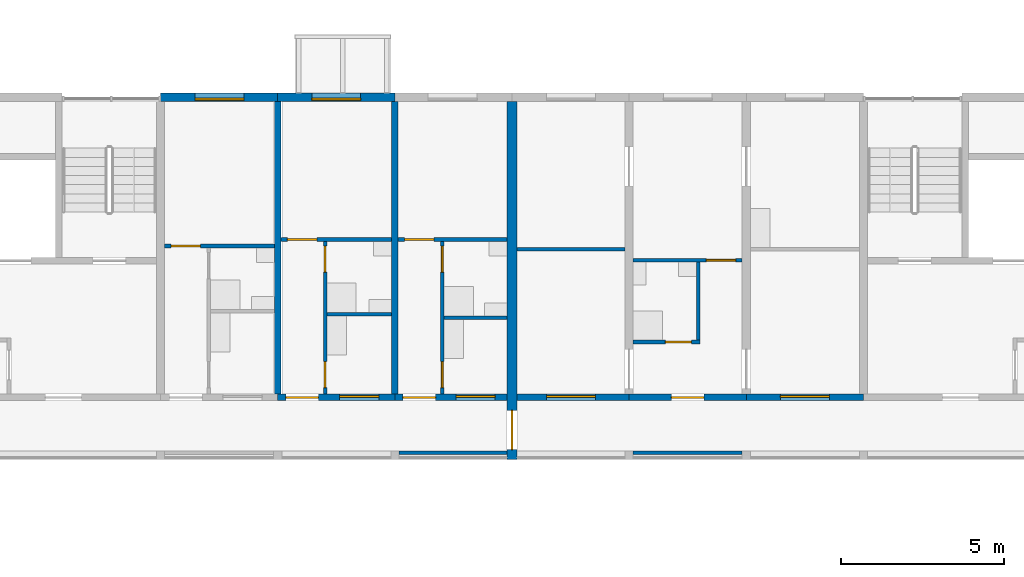
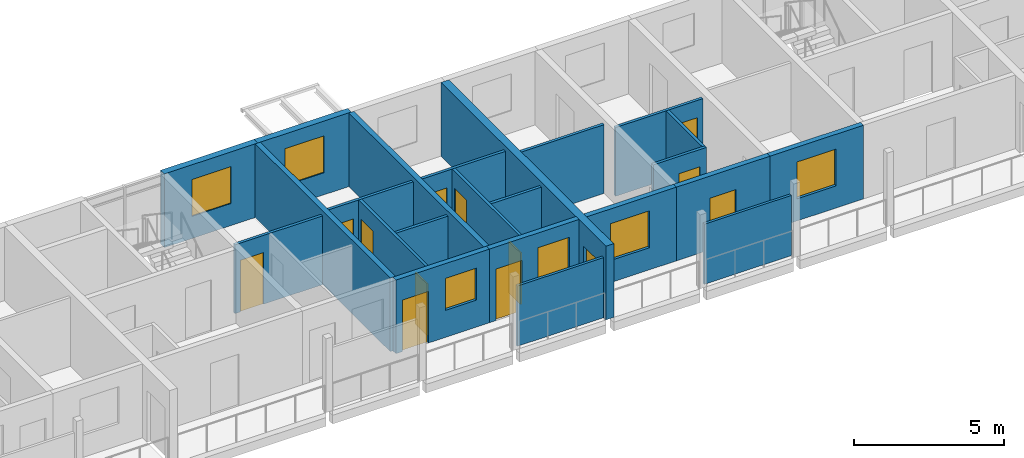
# One storey, part 79 of 122: 23 walls, 13 doors, 6 windows, 19 openings.
"""IFC4 building model written with IfcOpenShell, lengths in metres."""

from ifc_helpers import new_model, si_unit, direction, frame, frame_2d, origin, place, context, subcontext, project, spatial, rectangle, extrude, material, layer, layer_set, type_object, element, fill, save


model = new_model("IFC4")

# Units and contexts
model_context = context("Model", 3, precision=1e-05, world=origin(), true_north=direction((0.0, 1.0)))
body_context = subcontext(model_context, "Body", "Model", "MODEL_VIEW")
ifc_project = project(units=[si_unit("LENGTHUNIT", "METRE"), si_unit("AREAUNIT", "SQUARE_METRE"), si_unit("VOLUMEUNIT", "CUBIC_METRE"), si_unit("PLANEANGLEUNIT", "RADIAN"), si_unit("MASSUNIT", "GRAM", prefix="KILO")], contexts=[model_context])

# Site, building, storey
site_placement = place(None, origin())
site = spatial("IfcSite", under=ifc_project, at=site_placement, CompositionType="ELEMENT")
building_placement = place(site_placement, origin())
building = spatial("IfcBuilding", under=site, at=building_placement, Name="Ridgestep Commons", CompositionType="ELEMENT")
storey_placement = place(building_placement, frame((0.0, 0.0, 3.0)))
storey = spatial("IfcBuildingStorey", under=building, at=storey_placement, Name="L01", CompositionType="ELEMENT", Elevation=3.0)

# Walls
ifc_material_1 = material(Name="Precast concrete C40/50", Category="concrete")
ifc_layer_1 = layer(ifc_material_1, 0.199951171875)
ifc_layer_set_1 = layer_set([ifc_layer_1], Name="Cross wall 200")
wall_type_1 = type_object("IfcWallType", Name="Cross wall 200", PredefinedType="SHEAR", material=ifc_layer_set_1)
for number, where, z_axis, x_axis, name in (
    (1, (206.800048828125, 68.0, 0.0), (0.0, 0.0, 1.0), (0.0, 1.0, 0.0), "Cross wall C-01-2068"),
    (2, (210.39990234375, 68.0, 0.0), (0.0, 0.0, 1.0), (0.0, 1.0, 0.0), "Cross wall C-01-2104"),
):
    element("IfcWall", number, at=place(storey_placement, frame(where, z_axis=z_axis, x_axis=x_axis)), inside=storey, type_object=wall_type_1, Name=name, PredefinedType="SHEAR", context=body_context, shape_type="SweptSolid", body=[
        extrude(rectangle(XDim=9.0, YDim=0.199951171875, at=frame_2d((4.5, 0.0))), origin(), (0.0, 0.0, 1.0), 3.0),
    ])

# Wall, opening, door
ifc_material_2 = material(Name="Precast concrete C40/50", Category="concrete")
ifc_layer_2 = layer(ifc_material_2, 0.300048828125)
ifc_layer_set_2 = layer_set([ifc_layer_2], Name="Division wall 300")
wall_type_2 = type_object("IfcWallType", Name="Division wall 300", PredefinedType="SHEAR", material=ifc_layer_set_2)
wall_1_placement = place(storey_placement, frame((214.0, 66.0, 0.0), z_axis=(0.0, 0.0, 1.0), x_axis=(0.0, 1.0, 0.0)))
wall_1 = element("IfcWall", 3, at=wall_1_placement, inside=storey, type_object=wall_type_2, Name="Cross wall C-01-2140", PredefinedType="SHEAR", context=body_context, shape_type="SweptSolid", body=[
    extrude(rectangle(XDim=11.0, YDim=0.300048828125, at=frame_2d((5.5, 0.0))), origin(), (0.0, 0.0, 1.0), 3.0),
])
opening_1_placement = place(wall_1_placement, frame((0.300048828125, 0.0, 0.0)))
opening_1 = element("IfcOpeningElement", 4, at=opening_1_placement, cuts=wall_1, Name="Opening C/01/G2140", PredefinedType="OPENING", context=body_context, shape_type="SweptSolid", body=[
    extrude(rectangle(XDim=1.199951171875, YDim=2.10009765625, at=frame_2d((0.60009765625, 1.050048828125))), frame((0.0, 0.159912109375, 0.0), z_axis=(0.0, -1.0, 0.0), x_axis=(1.0, 0.0, 0.0)), (0.0, 0.0, 1.0), 0.320068359375),
])
ifc_material_3 = material(Name="Steel fire door", Category="steel")
door_type_1 = type_object("IfcDoorType", Name="Division fire door 1200 x 2100 EI 240", OperationType="DOUBLE_DOOR_SINGLE_SWING", PredefinedType="DOOR", material=ifc_material_3)
door_1_placement = place(opening_1_placement, origin())
door_1 = element("IfcDoor", 5, at=door_1_placement, inside=storey, type_object=door_type_1, Name="Division fire door C/01/G2140", OperationType="DOUBLE_DOOR_SINGLE_SWING", OverallHeight=2.10009765625, OverallWidth=1.199951171875, PredefinedType="DOOR", context=body_context, shape_type="SweptSolid", body=[
    extrude(rectangle(XDim=1.199951171875, YDim=2.10009765625, at=frame_2d((0.60009765625, 1.050048828125))), frame((0.0, 0.02490234375, 0.0), z_axis=(0.0, -1.0, 0.0), x_axis=(1.0, 0.0, 0.0)), (0.0, 0.0, 1.0), 0.050048828125),
])
fill(opening_1, door_1)

# Wall, opening, window
ifc_material_4 = material(Name="Precast concrete C40/50", Category="concrete")
ifc_layer_3 = layer(ifc_material_4, 0.25)
ifc_layer_set_3 = layer_set([ifc_layer_3], Name="North facade panel 250")
wall_type_3 = type_object("IfcWallType", Name="North facade panel 250", PredefinedType="SOLIDWALL", material=ifc_layer_set_3)
wall_2_placement = place(storey_placement, frame((203.199951171875, 77.125, 0.0), z_axis=(0.0, 0.0, 1.0), x_axis=(1.0, 0.0, 0.0)))
wall_2 = element("IfcWall", 6, at=wall_2_placement, inside=storey, type_object=wall_type_3, Name="North panel C4T3 L01", PredefinedType="SOLIDWALL", context=body_context, shape_type="SweptSolid", body=[
    extrude(rectangle(XDim=3.60009765625, YDim=0.25, at=frame_2d((1.800048828125, 0.0))), origin(), (0.0, 0.0, 1.0), 3.0),
])
opening_2_placement = place(wall_2_placement, frame((1.0625, 0.0, 0.89990234375)))
opening_2 = element("IfcOpeningElement", 7, at=opening_2_placement, cuts=wall_2, Name="Opening W16", PredefinedType="OPENING", context=body_context, shape_type="SweptSolid", body=[
    extrude(rectangle(XDim=1.5, YDim=1.5, at=frame_2d((0.75, 0.75))), frame((0.0, 0.135009765625, 0.0), z_axis=(0.0, -1.0, 0.0), x_axis=(1.0, 0.0, 0.0)), (0.0, 0.0, 1.0), 0.27001953125),
])
ifc_material_5 = material(Name="Aluminium 6063-T6 and glass", Category="aluminium")
window_type_1 = type_object("IfcWindowType", Name="Flat window 1500 x 1500", PartitioningType="DOUBLE_PANEL_VERTICAL", PredefinedType="WINDOW", material=ifc_material_5)
window_1_placement = place(opening_2_placement, origin())
window_1 = element("IfcWindow", 8, at=window_1_placement, inside=storey, type_object=window_type_1, Name="Window C4-01c 2", OverallHeight=1.5, OverallWidth=1.5, PartitioningType="SINGLE_PANEL", PredefinedType="WINDOW", context=body_context, shape_type="SweptSolid", body=[
    extrude(rectangle(XDim=1.5, YDim=1.5, at=frame_2d((0.75, 0.75))), frame((0.0, -0.02490234375, 0.0), z_axis=(0.0, -1.0, 0.0), x_axis=(1.0, 0.0, 0.0)), (0.0, 0.0, 1.0), 0.06005859375),
])
fill(opening_2, window_1)

wall_3_placement = place(storey_placement, frame((206.800048828125, 77.125, 0.0), z_axis=(0.0, 0.0, 1.0), x_axis=(1.0, 0.0, 0.0)))
wall_3 = element("IfcWall", 9, at=wall_3_placement, inside=storey, type_object=wall_type_3, Name="North panel C4T2 L01", PredefinedType="SOLIDWALL", context=body_context, shape_type="SweptSolid", body=[
    extrude(rectangle(XDim=3.599853515625, YDim=0.25, at=frame_2d((1.7998046875, 0.0))), origin(), (0.0, 0.0, 1.0), 3.0),
])
opening_3_placement = place(wall_3_placement, frame((1.050048828125, 0.0, 0.89990234375)))
opening_3 = element("IfcOpeningElement", 10, at=opening_3_placement, cuts=wall_3, Name="Opening W16", PredefinedType="OPENING", context=body_context, shape_type="SweptSolid", body=[
    extrude(rectangle(XDim=1.5, YDim=1.5, at=frame_2d((0.75, 0.75))), frame((0.0, 0.135009765625, 0.0), z_axis=(0.0, -1.0, 0.0), x_axis=(1.0, 0.0, 0.0)), (0.0, 0.0, 1.0), 0.27001953125),
])
window_2_placement = place(opening_3_placement, origin())
window_2 = element("IfcWindow", 11, at=window_2_placement, inside=storey, type_object=window_type_1, Name="Window C4-01b 2", OverallHeight=1.5, OverallWidth=1.5, PartitioningType="SINGLE_PANEL", PredefinedType="WINDOW", context=body_context, shape_type="SweptSolid", body=[
    extrude(rectangle(XDim=1.5, YDim=1.5, at=frame_2d((0.75, 0.75))), frame((0.0, -0.02490234375, 0.0), z_axis=(0.0, -1.0, 0.0), x_axis=(1.0, 0.0, 0.0)), (0.0, 0.0, 1.0), 0.06005859375),
])
fill(opening_3, window_2)

# Wall, openings, doors
ifc_material_6 = material(Name="Common brick 110 mm", Category="masonry")
ifc_layer_4 = layer(ifc_material_6, 0.110107421875)
ifc_layer_set_4 = layer_set([ifc_layer_4], Name="Partition 110")
wall_type_4 = type_object("IfcWallType", Name="Partition 110", PredefinedType="PARTITIONING", material=ifc_layer_set_4)
wall_4_placement = place(storey_placement, frame((211.85498046875, 68.0, 0.0), z_axis=(0.0, 0.0, 1.0), x_axis=(0.0, 1.0, 0.0)))
wall_4 = element("IfcWall", 12, at=wall_4_placement, inside=storey, type_object=wall_type_4, Name="Partition C4-01a", PredefinedType="PARTITIONING", context=body_context, shape_type="SweptSolid", body=[
    extrude(rectangle(XDim=4.699951171875, YDim=0.110107421875, at=frame_2d((2.35009765625, 0.0))), origin(), (0.0, 0.0, 1.0), 2.800048828125),
])
opening_4_placement = place(wall_4_placement, frame((0.199951171875, 0.0, 0.0)))
opening_4 = element("IfcOpeningElement", 13, at=opening_4_placement, cuts=wall_4, Name="Opening C4-01a/2", PredefinedType="OPENING", context=body_context, shape_type="SweptSolid", body=[
    extrude(rectangle(XDim=0.800048828125, YDim=2.10009765625, at=frame_2d((0.39990234375, 1.050048828125))), frame((0.0, 0.06494140625, 0.0), z_axis=(0.0, -1.0, 0.0), x_axis=(1.0, 0.0, 0.0)), (0.0, 0.0, 1.0), 0.130126953125),
])
opening_5_placement = place(wall_4_placement, frame((3.75, 0.0, 0.0)))
opening_5 = element("IfcOpeningElement", 14, at=opening_5_placement, cuts=wall_4, Name="Opening C4-01a/3", PredefinedType="OPENING", context=body_context, shape_type="SweptSolid", body=[
    extrude(rectangle(XDim=0.800048828125, YDim=2.10009765625, at=frame_2d((0.39990234375, 1.050048828125))), frame((0.0, 0.06494140625, 0.0), z_axis=(0.0, -1.0, 0.0), x_axis=(1.0, 0.0, 0.0)), (0.0, 0.0, 1.0), 0.130126953125),
])
ifc_material_7 = material(Name="Timber door leaf", Category="wood")
door_type_2 = type_object("IfcDoorType", Name="Internal door 800 x 2100", OperationType="NOTDEFINED", PredefinedType="DOOR", material=ifc_material_7)
door_2_placement = place(opening_4_placement, origin())
door_2 = element("IfcDoor", 15, at=door_2_placement, inside=storey, type_object=door_type_2, Name="Internal door C4-01a/2", OperationType="SINGLE_SWING_RIGHT", OverallHeight=2.10009765625, OverallWidth=0.800048828125, PredefinedType="DOOR", context=body_context, shape_type="SweptSolid", body=[
    extrude(rectangle(XDim=0.800048828125, YDim=2.10009765625, at=frame_2d((0.39990234375, 1.050048828125))), frame((0.0, 0.02490234375, 0.0), z_axis=(0.0, -1.0, 0.0), x_axis=(1.0, 0.0, 0.0)), (0.0, 0.0, 1.0), 0.050048828125),
])
fill(opening_4, door_2)
door_3_placement = place(opening_5_placement, origin())
door_3 = element("IfcDoor", 16, at=door_3_placement, inside=storey, type_object=door_type_2, Name="Internal door C4-01a/3", OperationType="SINGLE_SWING_LEFT", OverallHeight=2.10009765625, OverallWidth=0.800048828125, PredefinedType="DOOR", context=body_context, shape_type="SweptSolid", body=[
    extrude(rectangle(XDim=0.800048828125, YDim=2.10009765625, at=frame_2d((0.39990234375, 1.050048828125))), frame((0.0, 0.02490234375, 0.0), z_axis=(0.0, -1.0, 0.0), x_axis=(1.0, 0.0, 0.0)), (0.0, 0.0, 1.0), 0.050048828125),
])
fill(opening_5, door_3)

# Wall
wall_5_placement = place(storey_placement, frame((211.909912109375, 70.35498046875, 0.0), z_axis=(0.0, 0.0, 1.0), x_axis=(1.0, 0.0, 0.0)))
element("IfcWall", 17, at=wall_5_placement, inside=storey, type_object=wall_type_4, Name="Partition C4-01a", PredefinedType="PARTITIONING", context=body_context, shape_type="SweptSolid", body=[
    extrude(rectangle(XDim=1.940185546875, YDim=0.110107421875, at=frame_2d((0.97021484375, 0.0))), origin(), (0.0, 0.0, 1.0), 2.800048828125),
])

# Wall, opening, door
wall_6_placement = place(storey_placement, frame((210.5, 72.7548828125, 0.0), z_axis=(0.0, 0.0, 1.0), x_axis=(1.0, 0.0, 0.0)))
wall_6 = element("IfcWall", 18, at=wall_6_placement, inside=storey, type_object=wall_type_4, Name="Partition C4-01a", PredefinedType="PARTITIONING", context=body_context, shape_type="SweptSolid", body=[
    extrude(rectangle(XDim=3.35009765625, YDim=0.110107421875, at=frame_2d((1.675048828125, 0.0))), origin(), (0.0, 0.0, 1.0), 2.800048828125),
])
opening_6_placement = place(wall_6_placement, frame((0.199951171875, 0.0, 0.0)))
opening_6 = element("IfcOpeningElement", 19, at=opening_6_placement, cuts=wall_6, Name="Opening C4-01a/4", PredefinedType="OPENING", context=body_context, shape_type="SweptSolid", body=[
    extrude(rectangle(XDim=0.89990234375, YDim=2.10009765625, at=frame_2d((0.449951171875, 1.050048828125))), frame((0.0, 0.06494140625, 0.0), z_axis=(0.0, -1.0, 0.0), x_axis=(1.0, 0.0, 0.0)), (0.0, 0.0, 1.0), 0.130126953125),
])
ifc_material_8 = material(Name="Timber door leaf", Category="wood")
door_type_3 = type_object("IfcDoorType", Name="Internal door 900 x 2100", OperationType="NOTDEFINED", PredefinedType="DOOR", material=ifc_material_8)
door_4_placement = place(opening_6_placement, origin())
door_4 = element("IfcDoor", 20, at=door_4_placement, inside=storey, type_object=door_type_3, Name="Internal door C4-01a/4", OperationType="SINGLE_SWING_LEFT", OverallHeight=2.10009765625, OverallWidth=0.89990234375, PredefinedType="DOOR", context=body_context, shape_type="SweptSolid", body=[
    extrude(rectangle(XDim=0.89990234375, YDim=2.10009765625, at=frame_2d((0.449951171875, 1.050048828125))), frame((0.0, 0.02490234375, 0.0), z_axis=(0.0, -1.0, 0.0), x_axis=(1.0, 0.0, 0.0)), (0.0, 0.0, 1.0), 0.050048828125),
])
fill(opening_6, door_4)

# Wall, openings, doors
wall_7_placement = place(storey_placement, frame((208.2548828125, 68.0, 0.0), z_axis=(0.0, 0.0, 1.0), x_axis=(0.0, 1.0, 0.0)))
wall_7 = element("IfcWall", 21, at=wall_7_placement, inside=storey, type_object=wall_type_4, Name="Partition C4-01b", PredefinedType="PARTITIONING", context=body_context, shape_type="SweptSolid", body=[
    extrude(rectangle(XDim=4.699951171875, YDim=0.110107421875, at=frame_2d((2.35009765625, 0.0))), origin(), (0.0, 0.0, 1.0), 2.800048828125),
])
opening_7_placement = place(wall_7_placement, frame((0.199951171875, 0.0, 0.0)))
opening_7 = element("IfcOpeningElement", 22, at=opening_7_placement, cuts=wall_7, Name="Opening C4-01b/2", PredefinedType="OPENING", context=body_context, shape_type="SweptSolid", body=[
    extrude(rectangle(XDim=0.800048828125, YDim=2.10009765625, at=frame_2d((0.39990234375, 1.050048828125))), frame((0.0, 0.06494140625, 0.0), z_axis=(0.0, -1.0, 0.0), x_axis=(1.0, 0.0, 0.0)), (0.0, 0.0, 1.0), 0.130126953125),
])
opening_8_placement = place(wall_7_placement, frame((3.75, 0.0, 0.0)))
opening_8 = element("IfcOpeningElement", 23, at=opening_8_placement, cuts=wall_7, Name="Opening C4-01b/3", PredefinedType="OPENING", context=body_context, shape_type="SweptSolid", body=[
    extrude(rectangle(XDim=0.800048828125, YDim=2.10009765625, at=frame_2d((0.39990234375, 1.050048828125))), frame((0.0, 0.06494140625, 0.0), z_axis=(0.0, -1.0, 0.0), x_axis=(1.0, 0.0, 0.0)), (0.0, 0.0, 1.0), 0.130126953125),
])
door_5_placement = place(opening_7_placement, origin())
door_5 = element("IfcDoor", 24, at=door_5_placement, inside=storey, type_object=door_type_2, Name="Internal door C4-01b/2", OperationType="SINGLE_SWING_RIGHT", OverallHeight=2.10009765625, OverallWidth=0.800048828125, PredefinedType="DOOR", context=body_context, shape_type="SweptSolid", body=[
    extrude(rectangle(XDim=0.800048828125, YDim=2.10009765625, at=frame_2d((0.39990234375, 1.050048828125))), frame((0.0, 0.02490234375, 0.0), z_axis=(0.0, -1.0, 0.0), x_axis=(1.0, 0.0, 0.0)), (0.0, 0.0, 1.0), 0.050048828125),
])
fill(opening_7, door_5)
door_6_placement = place(opening_8_placement, origin())
door_6 = element("IfcDoor", 25, at=door_6_placement, inside=storey, type_object=door_type_2, Name="Internal door C4-01b/3", OperationType="SINGLE_SWING_LEFT", OverallHeight=2.10009765625, OverallWidth=0.800048828125, PredefinedType="DOOR", context=body_context, shape_type="SweptSolid", body=[
    extrude(rectangle(XDim=0.800048828125, YDim=2.10009765625, at=frame_2d((0.39990234375, 1.050048828125))), frame((0.0, 0.02490234375, 0.0), z_axis=(0.0, -1.0, 0.0), x_axis=(1.0, 0.0, 0.0)), (0.0, 0.0, 1.0), 0.050048828125),
])
fill(opening_8, door_6)

# Wall
wall_8_placement = place(storey_placement, frame((208.31005859375, 70.455078125, 0.0), z_axis=(0.0, 0.0, 1.0), x_axis=(1.0, 0.0, 0.0)))
element("IfcWall", 26, at=wall_8_placement, inside=storey, type_object=wall_type_4, Name="Partition C4-01b", PredefinedType="PARTITIONING", context=body_context, shape_type="SweptSolid", body=[
    extrude(rectangle(XDim=1.989990234375, YDim=0.110107421875, at=frame_2d((0.9951171875, 0.0))), origin(), (0.0, 0.0, 1.0), 2.800048828125),
])

# Wall, opening, door
wall_9_placement = place(storey_placement, frame((206.89990234375, 72.7548828125, 0.0), z_axis=(0.0, 0.0, 1.0), x_axis=(1.0, 0.0, 0.0)))
wall_9 = element("IfcWall", 27, at=wall_9_placement, inside=storey, type_object=wall_type_4, Name="Partition C4-01b", PredefinedType="PARTITIONING", context=body_context, shape_type="SweptSolid", body=[
    extrude(rectangle(XDim=3.400146484375, YDim=0.110107421875, at=frame_2d((1.7001953125, 0.0))), origin(), (0.0, 0.0, 1.0), 2.800048828125),
])
opening_9_placement = place(wall_9_placement, frame((0.199951171875, 0.0, 0.0)))
opening_9 = element("IfcOpeningElement", 28, at=opening_9_placement, cuts=wall_9, Name="Opening C4-01b/4", PredefinedType="OPENING", context=body_context, shape_type="SweptSolid", body=[
    extrude(rectangle(XDim=0.89990234375, YDim=2.10009765625, at=frame_2d((0.449951171875, 1.050048828125))), frame((0.0, 0.06494140625, 0.0), z_axis=(0.0, -1.0, 0.0), x_axis=(1.0, 0.0, 0.0)), (0.0, 0.0, 1.0), 0.130126953125),
])
door_7_placement = place(opening_9_placement, origin())
door_7 = element("IfcDoor", 29, at=door_7_placement, inside=storey, type_object=door_type_3, Name="Internal door C4-01b/4", OperationType="SINGLE_SWING_LEFT", OverallHeight=2.10009765625, OverallWidth=0.89990234375, PredefinedType="DOOR", context=body_context, shape_type="SweptSolid", body=[
    extrude(rectangle(XDim=0.89990234375, YDim=2.10009765625, at=frame_2d((0.449951171875, 1.050048828125))), frame((0.0, 0.02490234375, 0.0), z_axis=(0.0, -1.0, 0.0), x_axis=(1.0, 0.0, 0.0)), (0.0, 0.0, 1.0), 0.050048828125),
])
fill(opening_9, door_7)

wall_10_placement = place(storey_placement, frame((203.324951171875, 72.554931640625, 0.0), z_axis=(0.0, 0.0, 1.0), x_axis=(1.0, 0.0, 0.0)))
wall_10 = element("IfcWall", 30, at=wall_10_placement, inside=storey, type_object=wall_type_4, Name="Partition C4-01c", PredefinedType="PARTITIONING", context=body_context, shape_type="SweptSolid", body=[
    extrude(rectangle(XDim=3.375, YDim=0.110107421875, at=frame_2d((1.6875, 0.0))), origin(), (0.0, 0.0, 1.0), 2.800048828125),
])
opening_10_placement = place(wall_10_placement, frame((0.199951171875, 0.0, 0.0)))
opening_10 = element("IfcOpeningElement", 31, at=opening_10_placement, cuts=wall_10, Name="Opening C4-01c/4", PredefinedType="OPENING", context=body_context, shape_type="SweptSolid", body=[
    extrude(rectangle(XDim=0.89990234375, YDim=2.10009765625, at=frame_2d((0.449951171875, 1.050048828125))), frame((0.0, 0.06494140625, 0.0), z_axis=(0.0, -1.0, 0.0), x_axis=(1.0, 0.0, 0.0)), (0.0, 0.0, 1.0), 0.130126953125),
])
door_8_placement = place(opening_10_placement, origin())
door_8 = element("IfcDoor", 32, at=door_8_placement, inside=storey, type_object=door_type_3, Name="Internal door C4-01c/4", OperationType="SINGLE_SWING_LEFT", OverallHeight=2.10009765625, OverallWidth=0.89990234375, PredefinedType="DOOR", context=body_context, shape_type="SweptSolid", body=[
    extrude(rectangle(XDim=0.89990234375, YDim=2.10009765625, at=frame_2d((0.449951171875, 1.050048828125))), frame((0.0, 0.02490234375, 0.0), z_axis=(0.0, -1.0, 0.0), x_axis=(1.0, 0.0, 0.0)), (0.0, 0.0, 1.0), 0.050048828125),
])
fill(opening_10, door_8)

wall_11_placement = place(storey_placement, frame((217.72509765625, 69.60498046875, 0.0), z_axis=(0.0, 0.0, 1.0), x_axis=(1.0, 0.0, 0.0)))
wall_11 = element("IfcWall", 33, at=wall_11_placement, inside=storey, type_object=wall_type_4, Name="Partition C5-01a", PredefinedType="PARTITIONING", context=body_context, shape_type="SweptSolid", body=[
    extrude(rectangle(XDim=2.0498046875, YDim=0.110107421875, at=frame_2d((1.02490234375, 0.0))), origin(), (0.0, 0.0, 1.0), 2.800048828125),
])
opening_11_placement = place(wall_11_placement, frame((0.989990234375, 0.0, 0.0)))
opening_11 = element("IfcOpeningElement", 34, at=opening_11_placement, cuts=wall_11, Name="Opening C5-01a/2", PredefinedType="OPENING", context=body_context, shape_type="SweptSolid", body=[
    extrude(rectangle(XDim=0.800048828125, YDim=2.10009765625, at=frame_2d((0.39990234375, 1.050048828125))), frame((0.0, 0.06494140625, 0.0), z_axis=(0.0, -1.0, 0.0), x_axis=(1.0, 0.0, 0.0)), (0.0, 0.0, 1.0), 0.130126953125),
])
door_9_placement = place(opening_11_placement, origin())
door_9 = element("IfcDoor", 35, at=door_9_placement, inside=storey, type_object=door_type_2, Name="Internal door C5-01a/2", OperationType="SINGLE_SWING_RIGHT", OverallHeight=2.10009765625, OverallWidth=0.800048828125, PredefinedType="DOOR", context=body_context, shape_type="SweptSolid", body=[
    extrude(rectangle(XDim=0.800048828125, YDim=2.10009765625, at=frame_2d((0.39990234375, 1.050048828125))), frame((0.0, 0.02490234375, 0.0), z_axis=(0.0, -1.0, 0.0), x_axis=(1.0, 0.0, 0.0)), (0.0, 0.0, 1.0), 0.050048828125),
])
fill(opening_11, door_9)

# Wall
wall_12_placement = place(storey_placement, frame((219.719970703125, 69.659912109375, 0.0), z_axis=(0.0, 0.0, 1.0), x_axis=(0.0, 1.0, 0.0)))
element("IfcWall", 36, at=wall_12_placement, inside=storey, type_object=wall_type_4, Name="Partition C5-01a", PredefinedType="PARTITIONING", context=body_context, shape_type="SweptSolid", body=[
    extrude(rectangle(XDim=2.400146484375, YDim=0.110107421875, at=frame_2d((1.2001953125, 0.0))), origin(), (0.0, 0.0, 1.0), 2.800048828125),
])

# Wall, opening, door
wall_13_placement = place(storey_placement, frame((217.72509765625, 72.114990234375, 0.0), z_axis=(0.0, 0.0, 1.0), x_axis=(1.0, 0.0, 0.0)))
wall_13 = element("IfcWall", 37, at=wall_13_placement, inside=storey, type_object=wall_type_4, Name="Partition C5-01a", PredefinedType="PARTITIONING", context=body_context, shape_type="SweptSolid", body=[
    extrude(rectangle(XDim=3.349853515625, YDim=0.110107421875, at=frame_2d((1.6748046875, 0.0))), origin(), (0.0, 0.0, 1.0), 2.800048828125),
])
opening_12_placement = place(wall_13_placement, frame((2.25, 0.0, 0.0)))
opening_12 = element("IfcOpeningElement", 38, at=opening_12_placement, cuts=wall_13, Name="Opening C5-01a/3", PredefinedType="OPENING", context=body_context, shape_type="SweptSolid", body=[
    extrude(rectangle(XDim=0.89990234375, YDim=2.10009765625, at=frame_2d((0.449951171875, 1.050048828125))), frame((0.0, 0.06494140625, 0.0), z_axis=(0.0, -1.0, 0.0), x_axis=(1.0, 0.0, 0.0)), (0.0, 0.0, 1.0), 0.130126953125),
])
door_10_placement = place(opening_12_placement, origin())
door_10 = element("IfcDoor", 39, at=door_10_placement, inside=storey, type_object=door_type_3, Name="Internal door C5-01a/3", OperationType="SINGLE_SWING_LEFT", OverallHeight=2.10009765625, OverallWidth=0.89990234375, PredefinedType="DOOR", context=body_context, shape_type="SweptSolid", body=[
    extrude(rectangle(XDim=0.89990234375, YDim=2.10009765625, at=frame_2d((0.449951171875, 1.050048828125))), frame((0.0, 0.02490234375, 0.0), z_axis=(0.0, -1.0, 0.0), x_axis=(1.0, 0.0, 0.0)), (0.0, 0.0, 1.0), 0.050048828125),
])
fill(opening_12, door_10)

# Walls
wall_14_placement = place(storey_placement, frame((214.14990234375, 72.455078125, 0.0), z_axis=(0.0, 0.0, 1.0), x_axis=(1.0, 0.0, 0.0)))
element("IfcWall", 40, at=wall_14_placement, inside=storey, type_object=wall_type_4, Name="Partition C5-01a", PredefinedType="PARTITIONING", context=body_context, shape_type="SweptSolid", body=[
    extrude(rectangle(XDim=3.3251953125, YDim=0.110107421875, at=frame_2d((1.66259765625, 0.0))), origin(), (0.0, 0.0, 1.0), 2.800048828125),
])
ifc_material_9 = material(Name="Precast concrete C30/37", Category="concrete")
ifc_layer_5 = layer(ifc_material_9, 0.10009765625)
ifc_layer_set_5 = layer_set([ifc_layer_5], Name="Perforated gallery screen 3325 x 2450 x 100")
wall_type_5 = type_object("IfcWallType", Name="Perforated gallery screen 3325 x 2450 x 100", PredefinedType="SOLIDWALL", material=ifc_layer_set_5)
wall_15_placement = place(storey_placement, frame((210.52490234375, 66.199951171875, 0.0), z_axis=(0.0, 0.0, 1.0), x_axis=(1.0, 0.0, 0.0)))
element("IfcWall", 41, at=wall_15_placement, inside=storey, type_object=wall_type_5, Name="Gallery screen C4T1 01", PredefinedType="SOLIDWALL", context=body_context, shape_type="SweptSolid", body=[
    extrude(rectangle(XDim=3.3251953125, YDim=0.10009765625, at=frame_2d((1.66259765625, 0.0))), origin(), (0.0, 0.0, 1.0), 2.449951171875),
])
ifc_material_10 = material(Name="Precast concrete C30/37", Category="concrete")
ifc_layer_6 = layer(ifc_material_10, 0.10009765625)
ifc_layer_set_6 = layer_set([ifc_layer_6], Name="Perforated gallery screen 3350 x 2450 x 100")
wall_type_6 = type_object("IfcWallType", Name="Perforated gallery screen 3350 x 2450 x 100", PredefinedType="SOLIDWALL", material=ifc_layer_set_6)
wall_16_placement = place(storey_placement, frame((217.72509765625, 66.199951171875, 0.0), z_axis=(0.0, 0.0, 1.0), x_axis=(1.0, 0.0, 0.0)))
element("IfcWall", 42, at=wall_16_placement, inside=storey, type_object=wall_type_6, Name="Gallery screen C5T2 01", PredefinedType="SOLIDWALL", context=body_context, shape_type="SweptSolid", body=[
    extrude(rectangle(XDim=3.349853515625, YDim=0.10009765625, at=frame_2d((1.6748046875, 0.0))), origin(), (0.0, 0.0, 1.0), 2.449951171875),
])

# Wall, openings, door, window
ifc_material_11 = material(Name="Precast concrete C40/50", Category="concrete")
ifc_layer_7 = layer(ifc_material_11, 0.199951171875)
ifc_layer_set_7 = layer_set([ifc_layer_7], Name="South facade panel 200")
wall_type_7 = type_object("IfcWallType", Name="South facade panel 200", PredefinedType="SOLIDWALL", material=ifc_layer_set_7)
wall_17_placement = place(storey_placement, frame((206.800048828125, 67.89990234375, 0.0), z_axis=(0.0, 0.0, 1.0), x_axis=(1.0, 0.0, 0.0)))
wall_17 = element("IfcWall", 43, at=wall_17_placement, inside=storey, type_object=wall_type_7, Name="South panel C4T2 L01", PredefinedType="SOLIDWALL", context=body_context, shape_type="SweptSolid", body=[
    extrude(rectangle(XDim=3.599853515625, YDim=0.199951171875, at=frame_2d((1.7998046875, 0.0))), origin(), (0.0, 0.0, 1.0), 3.0),
])
opening_13_placement = place(wall_17_placement, frame((1.905029296875, 0.0, 1.10009765625)))
opening_13 = element("IfcOpeningElement", 44, at=opening_13_placement, cuts=wall_17, Name="Opening W08", PredefinedType="OPENING", context=body_context, shape_type="SweptSolid", body=[
    extrude(rectangle(XDim=1.199951171875, YDim=1.300048828125, at=frame_2d((0.60009765625, 0.64990234375))), frame((0.0, 0.10986328125, 0.0), z_axis=(0.0, -1.0, 0.0), x_axis=(1.0, 0.0, 0.0)), (0.0, 0.0, 1.0), 0.219970703125),
])
opening_14_placement = place(wall_17_placement, frame((0.25, 0.0, 0.0)))
opening_14 = element("IfcOpeningElement", 45, at=opening_14_placement, cuts=wall_17, Name="Opening C4-01b/1", PredefinedType="OPENING", context=body_context, shape_type="SweptSolid", body=[
    extrude(rectangle(XDim=1.0, YDim=2.10009765625, at=frame_2d((0.5, 1.050048828125))), frame((0.0, 0.10986328125, 0.0), z_axis=(0.0, -1.0, 0.0), x_axis=(1.0, 0.0, 0.0)), (0.0, 0.0, 1.0), 0.219970703125),
])
ifc_material_12 = material(Name="Timber door leaf", Category="wood")
door_type_4 = type_object("IfcDoorType", Name="Flat entrance door 1000 x 2100 FD30S", OperationType="NOTDEFINED", PredefinedType="DOOR", material=ifc_material_12)
door_11_placement = place(opening_14_placement, origin())
door_11 = element("IfcDoor", 46, at=door_11_placement, inside=storey, type_object=door_type_4, Name="Flat entrance door C4-01b/1", OperationType="SINGLE_SWING_LEFT", OverallHeight=2.10009765625, OverallWidth=1.0, PredefinedType="DOOR", context=body_context, shape_type="SweptSolid", body=[
    extrude(rectangle(XDim=1.0, YDim=2.10009765625, at=frame_2d((0.5, 1.050048828125))), frame((0.0, 0.02490234375, 0.0), z_axis=(0.0, -1.0, 0.0), x_axis=(1.0, 0.0, 0.0)), (0.0, 0.0, 1.0), 0.050048828125),
])
fill(opening_14, door_11)
ifc_material_13 = material(Name="Aluminium 6063-T6 and glass", Category="aluminium")
window_type_2 = type_object("IfcWindowType", Name="Flat window 1200 x 1300", PartitioningType="SINGLE_PANEL", PredefinedType="WINDOW", material=ifc_material_13)
window_3_placement = place(opening_13_placement, origin())
window_3 = element("IfcWindow", 47, at=window_3_placement, inside=storey, type_object=window_type_2, Name="Window C4-01b 1", OverallHeight=1.300048828125, OverallWidth=1.199951171875, PartitioningType="SINGLE_PANEL", PredefinedType="WINDOW", context=body_context, shape_type="SweptSolid", body=[
    extrude(rectangle(XDim=1.199951171875, YDim=1.300048828125, at=frame_2d((0.60009765625, 0.64990234375))), frame((0.0, 0.06005859375, 0.0), z_axis=(0.0, -1.0, 0.0), x_axis=(1.0, 0.0, 0.0)), (0.0, 0.0, 1.0), 0.06005859375),
])
fill(opening_13, window_3)

wall_18_placement = place(storey_placement, frame((210.39990234375, 67.89990234375, 0.0), z_axis=(0.0, 0.0, 1.0), x_axis=(1.0, 0.0, 0.0)))
wall_18 = element("IfcWall", 48, at=wall_18_placement, inside=storey, type_object=wall_type_7, Name="South panel C4T1 L01", PredefinedType="SOLIDWALL", context=body_context, shape_type="SweptSolid", body=[
    extrude(rectangle(XDim=3.4501953125, YDim=0.199951171875, at=frame_2d((1.72509765625, 0.0))), origin(), (0.0, 0.0, 1.0), 3.0),
])
opening_15_placement = place(wall_18_placement, frame((1.8798828125, 0.0, 1.10009765625)))
opening_15 = element("IfcOpeningElement", 49, at=opening_15_placement, cuts=wall_18, Name="Opening W08", PredefinedType="OPENING", context=body_context, shape_type="SweptSolid", body=[
    extrude(rectangle(XDim=1.199951171875, YDim=1.300048828125, at=frame_2d((0.60009765625, 0.64990234375))), frame((0.0, 0.10986328125, 0.0), z_axis=(0.0, -1.0, 0.0), x_axis=(1.0, 0.0, 0.0)), (0.0, 0.0, 1.0), 0.219970703125),
])
opening_16_placement = place(wall_18_placement, frame((0.25, 0.0, 0.0)))
opening_16 = element("IfcOpeningElement", 50, at=opening_16_placement, cuts=wall_18, Name="Opening C4-01a/1", PredefinedType="OPENING", context=body_context, shape_type="SweptSolid", body=[
    extrude(rectangle(XDim=1.0, YDim=2.10009765625, at=frame_2d((0.5, 1.050048828125))), frame((0.0, 0.10986328125, 0.0), z_axis=(0.0, -1.0, 0.0), x_axis=(1.0, 0.0, 0.0)), (0.0, 0.0, 1.0), 0.219970703125),
])
door_12_placement = place(opening_16_placement, origin())
door_12 = element("IfcDoor", 51, at=door_12_placement, inside=storey, type_object=door_type_4, Name="Flat entrance door C4-01a/1", OperationType="SINGLE_SWING_LEFT", OverallHeight=2.10009765625, OverallWidth=1.0, PredefinedType="DOOR", context=body_context, shape_type="SweptSolid", body=[
    extrude(rectangle(XDim=1.0, YDim=2.10009765625, at=frame_2d((0.5, 1.050048828125))), frame((0.0, 0.02490234375, 0.0), z_axis=(0.0, -1.0, 0.0), x_axis=(1.0, 0.0, 0.0)), (0.0, 0.0, 1.0), 0.050048828125),
])
fill(opening_16, door_12)
window_4_placement = place(opening_15_placement, origin())
window_4 = element("IfcWindow", 52, at=window_4_placement, inside=storey, type_object=window_type_2, Name="Window C4-01a 1", OverallHeight=1.300048828125, OverallWidth=1.199951171875, PartitioningType="SINGLE_PANEL", PredefinedType="WINDOW", context=body_context, shape_type="SweptSolid", body=[
    extrude(rectangle(XDim=1.199951171875, YDim=1.300048828125, at=frame_2d((0.60009765625, 0.64990234375))), frame((0.0, 0.06005859375, 0.0), z_axis=(0.0, -1.0, 0.0), x_axis=(1.0, 0.0, 0.0)), (0.0, 0.0, 1.0), 0.06005859375),
])
fill(opening_15, window_4)

# Wall, opening, window
wall_19_placement = place(storey_placement, frame((214.14990234375, 67.89990234375, 0.0), z_axis=(0.0, 0.0, 1.0), x_axis=(1.0, 0.0, 0.0)))
wall_19 = element("IfcWall", 53, at=wall_19_placement, inside=storey, type_object=wall_type_7, Name="South panel C5T1 L01", PredefinedType="SOLIDWALL", context=body_context, shape_type="SweptSolid", body=[
    extrude(rectangle(XDim=3.4501953125, YDim=0.199951171875, at=frame_2d((1.72509765625, 0.0))), origin(), (0.0, 0.0, 1.0), 3.0),
])
opening_17_placement = place(wall_19_placement, frame((0.91259765625, 0.0, 0.89990234375)))
opening_17 = element("IfcOpeningElement", 54, at=opening_17_placement, cuts=wall_19, Name="Opening W16", PredefinedType="OPENING", context=body_context, shape_type="SweptSolid", body=[
    extrude(rectangle(XDim=1.5, YDim=1.5, at=frame_2d((0.75, 0.75))), frame((0.0, 0.10986328125, 0.0), z_axis=(0.0, -1.0, 0.0), x_axis=(1.0, 0.0, 0.0)), (0.0, 0.0, 1.0), 0.219970703125),
])
window_5_placement = place(opening_17_placement, origin())
window_5 = element("IfcWindow", 55, at=window_5_placement, inside=storey, type_object=window_type_1, Name="Window C5-01a 1", OverallHeight=1.5, OverallWidth=1.5, PartitioningType="SINGLE_PANEL", PredefinedType="WINDOW", context=body_context, shape_type="SweptSolid", body=[
    extrude(rectangle(XDim=1.5, YDim=1.5, at=frame_2d((0.75, 0.75))), frame((0.0, 0.06005859375, 0.0), z_axis=(0.0, -1.0, 0.0), x_axis=(1.0, 0.0, 0.0)), (0.0, 0.0, 1.0), 0.06005859375),
])
fill(opening_17, window_5)

# Wall, opening, door
wall_20_placement = place(storey_placement, frame((217.60009765625, 67.89990234375, 0.0), z_axis=(0.0, 0.0, 1.0), x_axis=(1.0, 0.0, 0.0)))
wall_20 = element("IfcWall", 56, at=wall_20_placement, inside=storey, type_object=wall_type_7, Name="South panel C5T2 L01", PredefinedType="SOLIDWALL", context=body_context, shape_type="SweptSolid", body=[
    extrude(rectangle(XDim=3.599853515625, YDim=0.199951171875, at=frame_2d((1.7998046875, 0.0))), origin(), (0.0, 0.0, 1.0), 3.0),
])
opening_18_placement = place(wall_20_placement, frame((1.300048828125, 0.0, 0.0)))
opening_18 = element("IfcOpeningElement", 57, at=opening_18_placement, cuts=wall_20, Name="Opening C5-01a/1", PredefinedType="OPENING", context=body_context, shape_type="SweptSolid", body=[
    extrude(rectangle(XDim=1.0, YDim=2.10009765625, at=frame_2d((0.5, 1.050048828125))), frame((0.0, 0.10986328125, 0.0), z_axis=(0.0, -1.0, 0.0), x_axis=(1.0, 0.0, 0.0)), (0.0, 0.0, 1.0), 0.219970703125),
])
door_13_placement = place(opening_18_placement, origin())
door_13 = element("IfcDoor", 58, at=door_13_placement, inside=storey, type_object=door_type_4, Name="Flat entrance door C5-01a/1", OperationType="SINGLE_SWING_RIGHT", OverallHeight=2.10009765625, OverallWidth=1.0, PredefinedType="DOOR", context=body_context, shape_type="SweptSolid", body=[
    extrude(rectangle(XDim=1.0, YDim=2.10009765625, at=frame_2d((0.5, 1.050048828125))), frame((0.0, 0.02490234375, 0.0), z_axis=(0.0, -1.0, 0.0), x_axis=(1.0, 0.0, 0.0)), (0.0, 0.0, 1.0), 0.050048828125),
])
fill(opening_18, door_13)

# Wall, opening, window
wall_21_placement = place(storey_placement, frame((221.199951171875, 67.89990234375, 0.0), z_axis=(0.0, 0.0, 1.0), x_axis=(1.0, 0.0, 0.0)))
wall_21 = element("IfcWall", 59, at=wall_21_placement, inside=storey, type_object=wall_type_7, Name="South panel C5T3 L01", PredefinedType="SOLIDWALL", context=body_context, shape_type="SweptSolid", body=[
    extrude(rectangle(XDim=3.60009765625, YDim=0.199951171875, at=frame_2d((1.800048828125, 0.0))), origin(), (0.0, 0.0, 1.0), 3.0),
])
opening_19_placement = place(wall_21_placement, frame((1.050048828125, 0.0, 0.89990234375)))
opening_19 = element("IfcOpeningElement", 60, at=opening_19_placement, cuts=wall_21, Name="Opening W16", PredefinedType="OPENING", context=body_context, shape_type="SweptSolid", body=[
    extrude(rectangle(XDim=1.5, YDim=1.5, at=frame_2d((0.75, 0.75))), frame((0.0, 0.10986328125, 0.0), z_axis=(0.0, -1.0, 0.0), x_axis=(1.0, 0.0, 0.0)), (0.0, 0.0, 1.0), 0.219970703125),
])
window_6_placement = place(opening_19_placement, origin())
window_6 = element("IfcWindow", 61, at=window_6_placement, inside=storey, type_object=window_type_1, Name="Window C5-01a 3", OverallHeight=1.5, OverallWidth=1.5, PartitioningType="SINGLE_PANEL", PredefinedType="WINDOW", context=body_context, shape_type="SweptSolid", body=[
    extrude(rectangle(XDim=1.5, YDim=1.5, at=frame_2d((0.75, 0.75))), frame((0.0, 0.06005859375, 0.0), z_axis=(0.0, -1.0, 0.0), x_axis=(1.0, 0.0, 0.0)), (0.0, 0.0, 1.0), 0.06005859375),
])
fill(opening_19, window_6)

save(model, "model.ifc")
